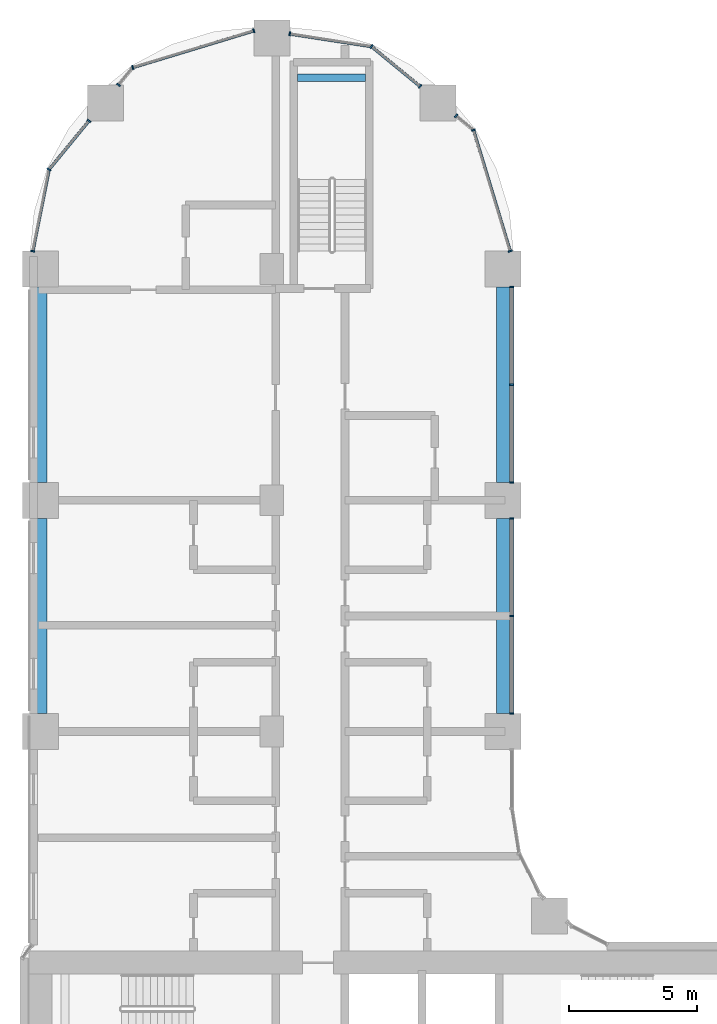
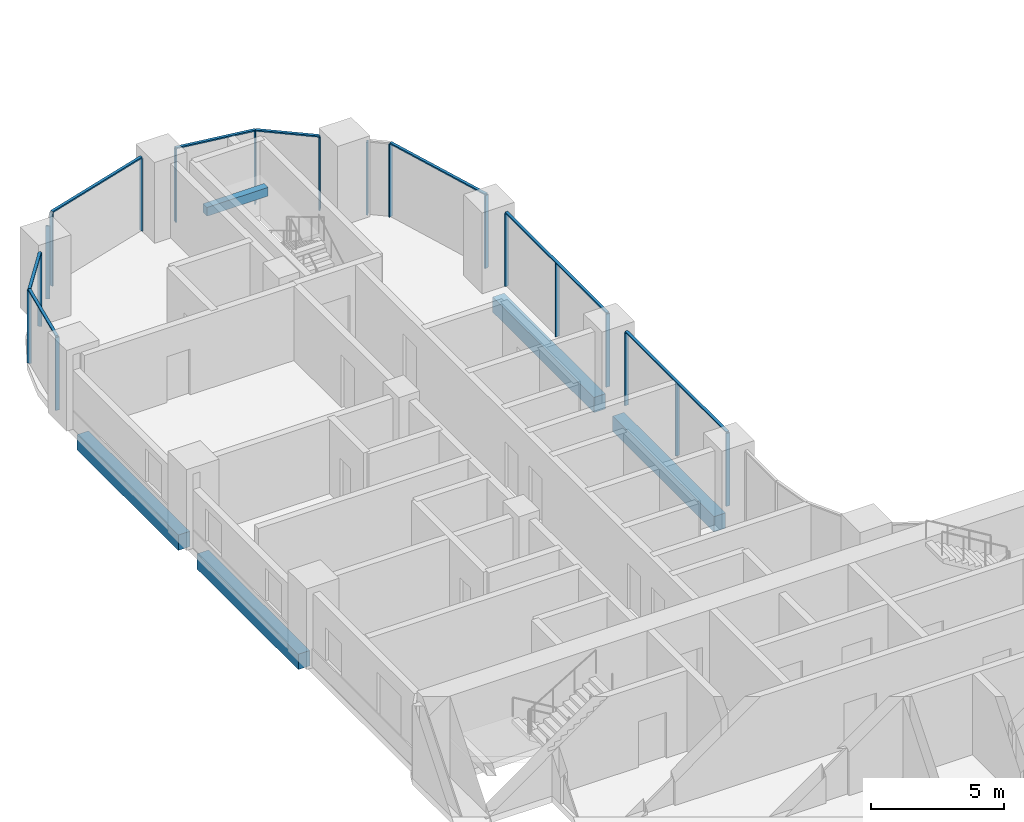
# One storey, part 6 of 31: 26 members, 5 beams, 6 elements without a shape of their own.
"""IFC4 building model written with IfcOpenShell, lengths in metres."""

from ifc_helpers import new_model, si_unit, direction, frame, origin, origin_2d, place, context, subcontext, project, spatial, rectangle, extrude, material, material_profile, profile_set, type_object, element, aggregate, save


model = new_model("IFC4")

# Units and contexts
model_context = context("Model", 3, precision=1e-05, world=origin(), true_north=direction((0.0, 1.0)))
body_context = subcontext(model_context, "Body", "Model", "MODEL_VIEW")
ifc_project = project(units=[si_unit("LENGTHUNIT", "METRE"), si_unit("AREAUNIT", "SQUARE_METRE"), si_unit("VOLUMEUNIT", "CUBIC_METRE"), si_unit("PLANEANGLEUNIT", "RADIAN"), si_unit("MASSUNIT", "GRAM", prefix="KILO")], contexts=[model_context])

# Site, building, storey
site_placement = place(None, origin())
site = spatial("IfcSite", under=ifc_project, at=site_placement, CompositionType="ELEMENT")
building_placement = place(site_placement, origin())
building = spatial("IfcBuilding", under=site, at=building_placement, Name="Ogive Portal Towers", CompositionType="ELEMENT")
storey_placement = place(building_placement, frame((0.0, 0.0, 40.89990234375)))
storey = spatial("IfcBuildingStorey", under=building, at=storey_placement, Name="L08", CompositionType="ELEMENT", Elevation=40.89990234375)

# Beam
ifc_material_1 = material(Name="Concrete C40/50", Category="concrete")
ifc_material_profile_1 = material_profile(ifc_material_1, rectangle(XDim=0.300048828125, YDim=0.39990234375, at=origin_2d()), Name="RC 300x400")
ifc_profile_set_1 = profile_set([ifc_material_profile_1], Name="Concrete C40/50")
beam_type_1 = type_object("IfcBeamType", Name="BEAM RC 300x400", PredefinedType="BEAM", material=ifc_profile_set_1)
beam_placement = place(storey_placement, frame((41.5, 73.949951171875, 1.4501953125), z_axis=(1.0, 0.0, 0.0), x_axis=(0.0, 1.0, 0.0)))
element("IfcBeam", 1, at=beam_placement, inside=storey, type_object=beam_type_1, Name="Landing beam L08", PredefinedType="BEAM", context=body_context, shape_type="SweptSolid", body=[
    extrude(rectangle(XDim=0.300048828125, YDim=0.39990234375, at=origin_2d()), origin(), (0.0, 0.0, 1.0), 2.64990234375),
])

# Curtain wall, members
ifc_material_2 = material(Name="Glass, clear low-iron insulated glazing", Category="glass")
curtain_wall_type = type_object("IfcCurtainWallType", Name="CW FRONT RIBBON 4500", PredefinedType="NOTDEFINED", material=ifc_material_2)
curtain_wall_1_placement = place(storey_placement, origin())
curtain_wall_1 = element("IfcCurtainWall", 2, at=curtain_wall_1_placement, inside=storey, type_object=curtain_wall_type, Name="A:L08:f06:cw0~1", PredefinedType="NOTDEFINED")
ifc_material_3 = material(Name="Aluminium 6063 anodised", Category="aluminium")
ifc_material_profile_2 = material_profile(ifc_material_3, rectangle(XDim=0.159912109375, YDim=0.06005859375, at=origin_2d()), Name="AL 60x160")
ifc_profile_set_2 = profile_set([ifc_material_profile_2], Name="Aluminium 6063 anodised")
member_type_1 = type_object("IfcMemberType", Name="CW MULLION 60x160", PredefinedType="MULLION", material=ifc_profile_set_2)
member_1_placement = place(storey_placement, frame((49.844970703125, 49.199951171875, 0.0), z_axis=(0.0, 0.0, 1.0), x_axis=(-1.0, 0.0, 0.0)))
member_1 = element("IfcMember", 3, at=member_1_placement, type_object=member_type_1, Name="mullion", PredefinedType="MULLION", context=body_context, shape_type="SweptSolid", body=[
    extrude(rectangle(XDim=0.159912109375, YDim=0.06005859375, at=origin_2d()), origin(), (0.0, 0.0, 1.0), 3.340087890625),
])
member_2_placement = place(storey_placement, frame((49.844970703125, 53.0, 0.0), z_axis=(0.0, 0.0, 1.0), x_axis=(-1.0, 0.0, 0.0)))
member_2 = element("IfcMember", 4, at=member_2_placement, type_object=member_type_1, Name="mullion", PredefinedType="MULLION", context=body_context, shape_type="SweptSolid", body=[
    extrude(rectangle(XDim=0.159912109375, YDim=0.06005859375, at=origin_2d()), origin(), (0.0, 0.0, 1.0), 3.340087890625),
])
member_3_placement = place(storey_placement, frame((49.844970703125, 56.800048828125, 0.0), z_axis=(0.0, 0.0, 1.0), x_axis=(-1.0, 0.0, 0.0)))
member_3 = element("IfcMember", 5, at=member_3_placement, type_object=member_type_1, Name="mullion", PredefinedType="MULLION", context=body_context, shape_type="SweptSolid", body=[
    extrude(rectangle(XDim=0.159912109375, YDim=0.06005859375, at=origin_2d()), origin(), (0.0, 0.0, 1.0), 3.340087890625),
])

curtain_wall_2_placement = place(storey_placement, origin())
curtain_wall_2 = element("IfcCurtainWall", 6, at=curtain_wall_2_placement, inside=storey, type_object=curtain_wall_type, Name="A:L08:f06:cw0~2", PredefinedType="NOTDEFINED")
member_4_placement = place(storey_placement, frame((49.844970703125, 58.199951171875, 0.0), z_axis=(0.0, 0.0, 1.0), x_axis=(-1.0, 0.0, 0.0)))
member_4 = element("IfcMember", 7, at=member_4_placement, type_object=member_type_1, Name="mullion", PredefinedType="MULLION", context=body_context, shape_type="SweptSolid", body=[
    extrude(rectangle(XDim=0.159912109375, YDim=0.06005859375, at=origin_2d()), origin(), (0.0, 0.0, 1.0), 3.340087890625),
])
member_5_placement = place(storey_placement, frame((49.844970703125, 62.0, 0.0), z_axis=(0.0, 0.0, 1.0), x_axis=(-1.0, 0.0, 0.0)))
member_5 = element("IfcMember", 8, at=member_5_placement, type_object=member_type_1, Name="mullion", PredefinedType="MULLION", context=body_context, shape_type="SweptSolid", body=[
    extrude(rectangle(XDim=0.159912109375, YDim=0.06005859375, at=origin_2d()), origin(), (0.0, 0.0, 1.0), 3.340087890625),
])
member_6_placement = place(storey_placement, frame((49.844970703125, 65.800048828125, 0.0), z_axis=(0.0, 0.0, 1.0), x_axis=(-1.0, 0.0, 0.0)))
member_6 = element("IfcMember", 9, at=member_6_placement, type_object=member_type_1, Name="mullion", PredefinedType="MULLION", context=body_context, shape_type="SweptSolid", body=[
    extrude(rectangle(XDim=0.159912109375, YDim=0.06005859375, at=origin_2d()), origin(), (0.0, 0.0, 1.0), 3.340087890625),
])

curtain_wall_3_placement = place(storey_placement, origin())
curtain_wall_3 = element("IfcCurtainWall", 10, at=curtain_wall_3_placement, inside=storey, type_object=curtain_wall_type, Name="A:L08:f07:cwa~0", PredefinedType="NOTDEFINED")
member_7_placement = place(storey_placement, frame((49.78076171875, 67.199951171875, 0.0), z_axis=(0.0, 0.0, 1.0), x_axis=(-0.956940335732, -0.290284677254, 0.0)))
member_7 = element("IfcMember", 11, at=member_7_placement, type_object=member_type_1, Name="mullion", PredefinedType="MULLION", context=body_context, shape_type="SweptSolid", body=[
    extrude(rectangle(XDim=0.159912109375, YDim=0.06005859375, at=origin_2d()), origin(), (0.0, 0.0, 1.0), 3.340087890625),
])
member_8_placement = place(storey_placement, frame((48.351318359375, 71.912109375, 0.0), z_axis=(0.0, 0.0, 1.0), x_axis=(-0.956940335732, -0.290284677254, 0.0)))
member_8 = element("IfcMember", 12, at=member_8_placement, type_object=member_type_1, Name="mullion", PredefinedType="MULLION", context=body_context, shape_type="SweptSolid", body=[
    extrude(rectangle(XDim=0.159912109375, YDim=0.06005859375, at=origin_2d()), origin(), (0.0, 0.0, 1.0), 3.340087890625),
])
member_9_placement = place(storey_placement, frame((47.673095703125, 72.46875, 0.0), z_axis=(0.0, 0.0, 1.0), x_axis=(-0.634393284164, -0.773010453363, 0.0)))
member_9 = element("IfcMember", 13, at=member_9_placement, type_object=member_type_1, Name="mullion", PredefinedType="MULLION", context=body_context, shape_type="SweptSolid", body=[
    extrude(rectangle(XDim=0.159912109375, YDim=0.06005859375, at=origin_2d()), origin(), (0.0, 0.0, 1.0), 3.340087890625),
])

curtain_wall_4_placement = place(storey_placement, origin())
curtain_wall_4 = element("IfcCurtainWall", 14, at=curtain_wall_4_placement, inside=storey, type_object=curtain_wall_type, Name="A:L08:f07:cwa~1", PredefinedType="NOTDEFINED")
member_10_placement = place(storey_placement, frame((46.27294921875, 73.61767578125, 0.0), z_axis=(0.0, 0.0, 1.0), x_axis=(-0.634393284164, -0.773010453363, 0.0)))
member_10 = element("IfcMember", 15, at=member_10_placement, type_object=member_type_1, Name="mullion", PredefinedType="MULLION", context=body_context, shape_type="SweptSolid", body=[
    extrude(rectangle(XDim=0.159912109375, YDim=0.06005859375, at=origin_2d()), origin(), (0.0, 0.0, 1.0), 3.340087890625),
])
member_11_placement = place(storey_placement, frame((44.381591796875, 75.169921875, 0.0), z_axis=(0.0, 0.0, 1.0), x_axis=(-0.634393284164, -0.773010453363, 0.0)))
member_11 = element("IfcMember", 16, at=member_11_placement, type_object=member_type_1, Name="mullion", PredefinedType="MULLION", context=body_context, shape_type="SweptSolid", body=[
    extrude(rectangle(XDim=0.159912109375, YDim=0.06005859375, at=origin_2d()), origin(), (0.0, 0.0, 1.0), 3.340087890625),
])
member_12_placement = place(storey_placement, frame((41.199951171875, 75.659423828125, 0.0), z_axis=(0.0, 0.0, 1.0), x_axis=(-0.15207363432, -0.988369166731, 0.0)))
member_12 = element("IfcMember", 17, at=member_12_placement, type_object=member_type_1, Name="mullion", PredefinedType="MULLION", context=body_context, shape_type="SweptSolid", body=[
    extrude(rectangle(XDim=0.159912109375, YDim=0.06005859375, at=origin_2d()), origin(), (0.0, 0.0, 1.0), 3.340087890625),
])

curtain_wall_5_placement = place(storey_placement, origin())
curtain_wall_5 = element("IfcCurtainWall", 18, at=curtain_wall_5_placement, inside=storey, type_object=curtain_wall_type, Name="A:L08:f07:cwa~2", PredefinedType="NOTDEFINED")
member_13_placement = place(storey_placement, frame((39.800048828125, 75.78076171875, 0.0), z_axis=(0.0, 0.0, 1.0), x_axis=(0.290284677254, -0.956940335732, 0.0)))
member_13 = element("IfcMember", 19, at=member_13_placement, type_object=member_type_1, Name="mullion", PredefinedType="MULLION", context=body_context, shape_type="SweptSolid", body=[
    extrude(rectangle(XDim=0.159912109375, YDim=0.06005859375, at=origin_2d()), origin(), (0.0, 0.0, 1.0), 3.340087890625),
])
member_14_placement = place(storey_placement, frame((35.087890625, 74.351318359375, 0.0), z_axis=(0.0, 0.0, 1.0), x_axis=(0.290284677254, -0.956940335732, 0.0)))
member_14 = element("IfcMember", 20, at=member_14_placement, type_object=member_type_1, Name="mullion", PredefinedType="MULLION", context=body_context, shape_type="SweptSolid", body=[
    extrude(rectangle(XDim=0.159912109375, YDim=0.06005859375, at=origin_2d()), origin(), (0.0, 0.0, 1.0), 3.340087890625),
])
member_15_placement = place(storey_placement, frame((34.53125, 73.673095703125, 0.0), z_axis=(0.0, 0.0, 1.0), x_axis=(0.773010453363, -0.634393284164, 0.0)))
member_15 = element("IfcMember", 21, at=member_15_placement, type_object=member_type_1, Name="mullion", PredefinedType="MULLION", context=body_context, shape_type="SweptSolid", body=[
    extrude(rectangle(XDim=0.159912109375, YDim=0.06005859375, at=origin_2d()), origin(), (0.0, 0.0, 1.0), 3.340087890625),
])

curtain_wall_6_placement = place(storey_placement, origin())
curtain_wall_6 = element("IfcCurtainWall", 22, at=curtain_wall_6_placement, inside=storey, type_object=curtain_wall_type, Name="A:L08:f07:cwa~3", PredefinedType="NOTDEFINED")
member_16_placement = place(storey_placement, frame((33.38232421875, 72.27294921875, 0.0), z_axis=(0.0, 0.0, 1.0), x_axis=(0.773010453363, -0.634393284164, 0.0)))
member_16 = element("IfcMember", 23, at=member_16_placement, type_object=member_type_1, Name="mullion", PredefinedType="MULLION", context=body_context, shape_type="SweptSolid", body=[
    extrude(rectangle(XDim=0.159912109375, YDim=0.06005859375, at=origin_2d()), origin(), (0.0, 0.0, 1.0), 3.340087890625),
])
member_17_placement = place(storey_placement, frame((31.828857421875, 70.380126953125, 0.0), z_axis=(0.0, 0.0, 1.0), x_axis=(0.773010453363, -0.634393284164, 0.0)))
member_17 = element("IfcMember", 24, at=member_17_placement, type_object=member_type_1, Name="mullion", PredefinedType="MULLION", context=body_context, shape_type="SweptSolid", body=[
    extrude(rectangle(XDim=0.159912109375, YDim=0.06005859375, at=origin_2d()), origin(), (0.0, 0.0, 1.0), 3.340087890625),
])
member_18_placement = place(storey_placement, frame((31.1962890625, 67.199951171875, 0.0), z_axis=(0.0, 0.0, 1.0), x_axis=(0.980785280403, -0.195090322016, 0.0)))
member_18 = element("IfcMember", 25, at=member_18_placement, type_object=member_type_1, Name="mullion", PredefinedType="MULLION", context=body_context, shape_type="SweptSolid", body=[
    extrude(rectangle(XDim=0.159912109375, YDim=0.06005859375, at=origin_2d()), origin(), (0.0, 0.0, 1.0), 3.340087890625),
])

# Member
ifc_material_profile_3 = material_profile(ifc_material_3, rectangle(XDim=0.1201171875, YDim=0.06005859375, at=origin_2d()), Name="AL 120x60")
ifc_profile_set_3 = profile_set([ifc_material_profile_3], Name="Aluminium 6063 anodised")
member_type_2 = type_object("IfcMemberType", Name="CW TRANSOM 60x120", PredefinedType="USERDEFINED", material=ifc_profile_set_3)
member_19_placement = place(storey_placement, frame((49.844970703125, 49.199951171875, 3.3701171875), z_axis=(0.0, 1.0, 0.0), x_axis=(-1.0, 0.0, 0.0)))
member_19 = element("IfcMember", 26, at=member_19_placement, type_object=member_type_2, Name="transom", ObjectType="TRANSOM", PredefinedType="USERDEFINED", context=body_context, shape_type="SweptSolid", body=[
    extrude(rectangle(XDim=0.1201171875, YDim=0.06005859375, at=origin_2d()), origin(), (0.0, 0.0, 1.0), 7.60009765625),
])

aggregate(curtain_wall_1, [member_19, member_1, member_2, member_3])

member_20_placement = place(storey_placement, frame((49.844970703125, 58.199951171875, 3.3701171875), z_axis=(0.0, 1.0, 0.0), x_axis=(-1.0, 0.0, 0.0)))
member_20 = element("IfcMember", 27, at=member_20_placement, type_object=member_type_2, Name="transom", ObjectType="TRANSOM", PredefinedType="USERDEFINED", context=body_context, shape_type="SweptSolid", body=[
    extrude(rectangle(XDim=0.1201171875, YDim=0.06005859375, at=origin_2d()), origin(), (0.0, 0.0, 1.0), 7.60009765625),
])

aggregate(curtain_wall_2, [member_20, member_4, member_5, member_6])

member_21_placement = place(storey_placement, frame((49.78076171875, 67.199951171875, 3.3701171875), z_axis=(-0.290289474403, 0.95693888052, 0.0), x_axis=(-0.95693888052, -0.290289474403, 0.0)))
member_21 = element("IfcMember", 28, at=member_21_placement, type_object=member_type_2, Name="transom", ObjectType="TRANSOM", PredefinedType="USERDEFINED", context=body_context, shape_type="SweptSolid", body=[
    extrude(rectangle(XDim=0.1201171875, YDim=0.06005859375, at=origin_2d()), origin(), (0.0, 0.0, 1.0), 4.92431640625),
])

aggregate(curtain_wall_3, [member_21, member_7, member_8, member_9])

member_22_placement = place(storey_placement, frame((46.27294921875, 73.61767578125, 3.3701171875), z_axis=(-0.773000598062, 0.634405292692, 0.0), x_axis=(-0.634405292692, -0.773000598062, 0.0)))
member_22 = element("IfcMember", 29, at=member_22_placement, type_object=member_type_2, Name="transom", ObjectType="TRANSOM", PredefinedType="USERDEFINED", context=body_context, shape_type="SweptSolid", body=[
    extrude(rectangle(XDim=0.1201171875, YDim=0.06005859375, at=origin_2d()), origin(), (0.0, 0.0, 1.0), 2.44677734375),
])

member_23_placement = place(storey_placement, frame((44.381591796875, 75.169921875, 3.3701171875), z_axis=(-0.98837082085, 0.152062883349, 0.0), x_axis=(-0.152062883349, -0.98837082085, 0.0)))
member_23 = element("IfcMember", 30, at=member_23_placement, type_object=member_type_2, Name="transom", ObjectType="TRANSOM", PredefinedType="USERDEFINED", context=body_context, shape_type="SweptSolid", body=[
    extrude(rectangle(XDim=0.1201171875, YDim=0.06005859375, at=origin_2d()), origin(), (0.0, 0.0, 1.0), 3.218994140625),
])

aggregate(curtain_wall_4, [member_22, member_23, member_10, member_11, member_12])

member_24_placement = place(storey_placement, frame((39.800048828125, 75.78076171875, 3.3701171875), z_axis=(-0.95693888052, -0.290289474403, 0.0), x_axis=(0.290289474403, -0.95693888052, 0.0)))
member_24 = element("IfcMember", 31, at=member_24_placement, type_object=member_type_2, Name="transom", ObjectType="TRANSOM", PredefinedType="USERDEFINED", context=body_context, shape_type="SweptSolid", body=[
    extrude(rectangle(XDim=0.1201171875, YDim=0.06005859375, at=origin_2d()), origin(), (0.0, 0.0, 1.0), 4.92431640625),
])

aggregate(curtain_wall_5, [member_24, member_13, member_14, member_15])

member_25_placement = place(storey_placement, frame((33.38232421875, 72.27294921875, 3.3701171875), z_axis=(-0.634409806791, -0.772996893297, 0.0), x_axis=(0.772996893297, -0.634409806791, 0.0)))
member_25 = element("IfcMember", 32, at=member_25_placement, type_object=member_type_2, Name="transom", ObjectType="TRANSOM", PredefinedType="USERDEFINED", context=body_context, shape_type="SweptSolid", body=[
    extrude(rectangle(XDim=0.1201171875, YDim=0.06005859375, at=origin_2d()), origin(), (0.0, 0.0, 1.0), 2.44873046875),
])

member_26_placement = place(storey_placement, frame((31.828857421875, 70.380126953125, 3.3701171875), z_axis=(-0.195087968263, -0.980785748591, 0.0), x_axis=(0.980785748591, -0.195087968263, 0.0)))
member_26 = element("IfcMember", 33, at=member_26_placement, type_object=member_type_2, Name="transom", ObjectType="TRANSOM", PredefinedType="USERDEFINED", context=body_context, shape_type="SweptSolid", body=[
    extrude(rectangle(XDim=0.1201171875, YDim=0.06005859375, at=origin_2d()), origin(), (0.0, 0.0, 1.0), 3.242431640625),
])

aggregate(curtain_wall_6, [member_25, member_26, member_16, member_17, member_18])

# Beams
ifc_material_profile_4 = material_profile(ifc_material_1, rectangle(XDim=0.5, YDim=0.699951171875, at=origin_2d()), Name="RC 500x700")
ifc_profile_set_4 = profile_set([ifc_material_profile_4], Name="Concrete C40/50")
beam_type_2 = type_object("IfcBeamType", Name="SPANDREL BEAM RC 500x700", PredefinedType="BEAM", material=ifc_profile_set_4)
for number, where, z_axis, x_axis, name in (
    (34, (31.5, 49.199951171875, -0.64990234375), (0.0, 1.0, 0.0), (-1.0, 0.0, 0.0), "Spandrel beam L08"),
    (35, (31.5, 58.199951171875, -0.64990234375), (0.0, 1.0, 0.0), (-1.0, 0.0, 0.0), "Spandrel beam L08"),
    (36, (49.5, 65.800048828125, -0.64990234375), (0.0, -1.0, 0.0), (1.0, 0.0, 0.0), "Spandrel beam L08"),
    (37, (49.5, 56.800048828125, -0.64990234375), (0.0, -1.0, 0.0), (1.0, 0.0, 0.0), "Spandrel beam L08"),
):
    element("IfcBeam", number, at=place(storey_placement, frame(where, z_axis=z_axis, x_axis=x_axis)), inside=storey, type_object=beam_type_2, Name=name, PredefinedType="BEAM", context=body_context, shape_type="SweptSolid", body=[
        extrude(rectangle(XDim=0.5, YDim=0.699951171875, at=origin_2d()), origin(), (0.0, 0.0, 1.0), 7.60009765625),
    ])

save(model, "model.ifc")
